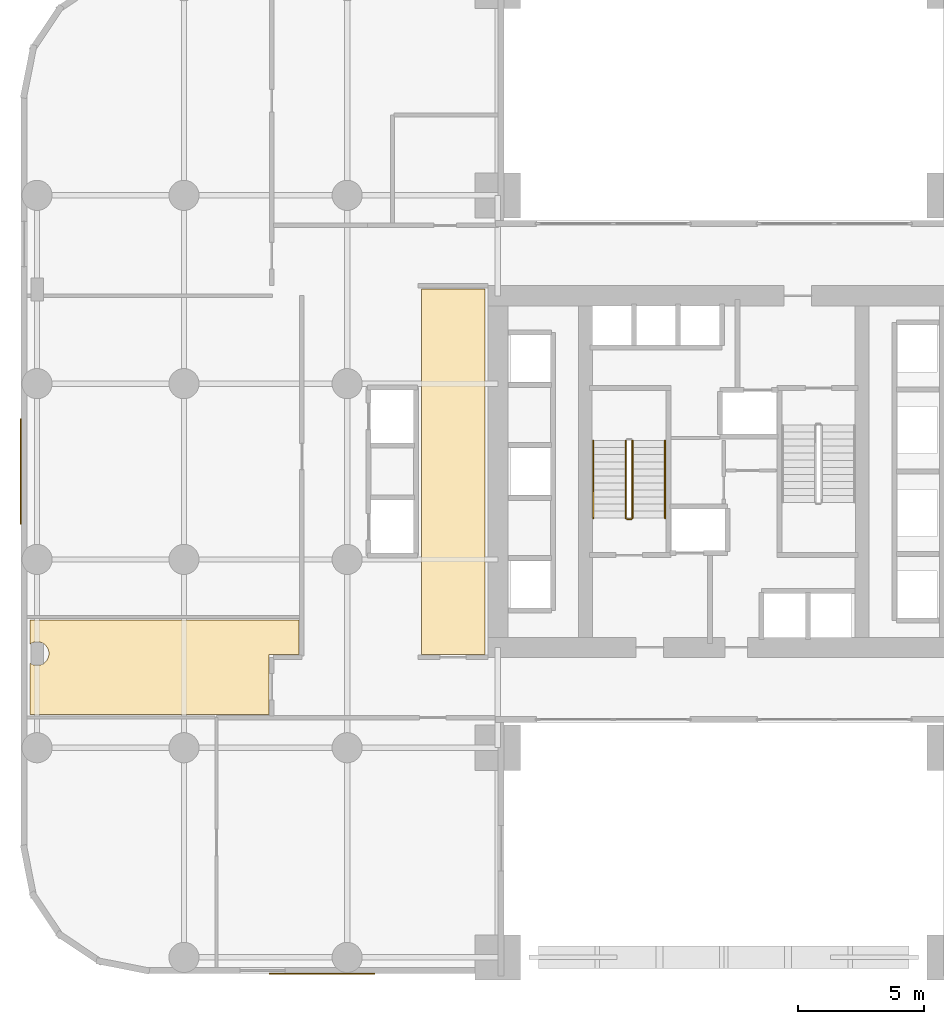
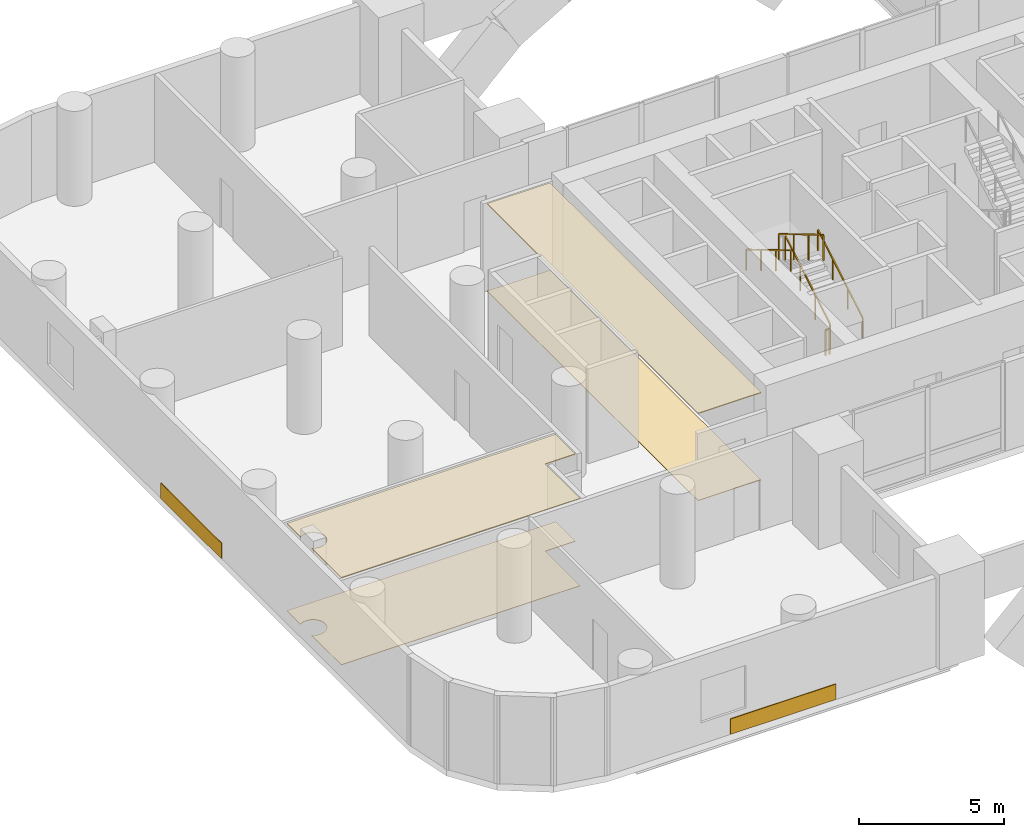
# One storey, part 8 of 9: 6 coverings, 5 railings.
"""IFC4 building model written with IfcOpenShell, lengths in metres."""

from ifc_helpers import new_model, si_unit, direction, frame, origin, origin_2d, place, context, subcontext, project, spatial, polyline, rectangle, outline, extrude, material, layer, layer_set, type_object, element, save


model = new_model("IFC4")

# Units and contexts
model_context = context("Model", 3, precision=1e-05, world=origin(), true_north=direction((0.0, 1.0)))
body_context = subcontext(model_context, "Body", "Model", "MODEL_VIEW")
ifc_project = project(units=[si_unit("LENGTHUNIT", "METRE"), si_unit("AREAUNIT", "SQUARE_METRE"), si_unit("VOLUMEUNIT", "CUBIC_METRE"), si_unit("PLANEANGLEUNIT", "RADIAN"), si_unit("MASSUNIT", "GRAM", prefix="KILO")], contexts=[model_context])

# Site, building, storey
site_placement = place(None, origin())
site = spatial("IfcSite", under=ifc_project, at=site_placement, CompositionType="ELEMENT")
building_placement = place(site_placement, origin())
building = spatial("IfcBuilding", under=site, at=building_placement, Name="Veldorim Arch Residences", CompositionType="ELEMENT")
storey_placement = place(building_placement, frame((0.0, 0.0, 8.0)))
storey = spatial("IfcBuildingStorey", under=building, at=storey_placement, Name="L02", CompositionType="ELEMENT", Elevation=8.0)

# Railings
ifc_material_1 = material(Name="Steel S355", Category="steel")
railing_type_1 = type_object("IfcRailingType", Name="Galvanised Steel Stair Safety Guardrail 1100", PredefinedType="GUARDRAIL", material=ifc_material_1)
railing_1_placement = place(storey_placement, frame((28.360107421875, 22.14990234375, 0.166748046875)))
element("IfcRailing", 1, at=railing_1_placement, inside=storey, type_object=railing_type_1, Name="L02 ST-1 stair guard 1", PredefinedType="GUARDRAIL", context=body_context, shape_type="SweptSolid", body=[
    extrude(rectangle(XDim=0.048095703125, YDim=0.048095703125, at=origin_2d()), frame((0.0, 0.0, 1.076171875), z_axis=(0.0, 0.859308565015, 0.511457515432), x_axis=(-1.0, 0.0, 0.0)), (0.0, 0.0, 1.0), 3.58447265625),
    extrude(rectangle(XDim=0.0419921875, YDim=0.0419921875, at=origin_2d()), origin(), (0.0, 0.0, 1.0), 1.052001953125),
    extrude(rectangle(XDim=0.0419921875, YDim=0.0419921875, at=origin_2d()), frame((0.0, 1.026611328125, 0.611083984375)), (0.0, 0.0, 1.0), 1.052001953125),
    extrude(rectangle(XDim=0.0419921875, YDim=0.0419921875, at=origin_2d()), frame((0.0, 2.053466796875, 1.22216796875)), (0.0, 0.0, 1.0), 1.052001953125),
    extrude(rectangle(XDim=0.0419921875, YDim=0.0419921875, at=origin_2d()), frame((0.0, 3.080078125, 1.833251953125)), (0.0, 0.0, 1.0), 1.052001953125),
])
railing_2_placement = place(storey_placement, frame((28.10009765625, 25.22998046875, 2.166748046875)))
element("IfcRailing", 2, at=railing_2_placement, inside=storey, type_object=railing_type_1, Name="L02 ST-1 stair guard 3", PredefinedType="GUARDRAIL", context=body_context, shape_type="SweptSolid", body=[
    extrude(rectangle(XDim=0.048095703125, YDim=0.048095703125, at=origin_2d()), frame((0.0, 0.0, 1.076171875), z_axis=(0.0, -0.859308565015, 0.511457515432), x_axis=(1.0, 0.0, 0.0)), (0.0, 0.0, 1.0), 3.58447265625),
    extrude(rectangle(XDim=0.0419921875, YDim=0.0419921875, at=origin_2d()), origin(), (0.0, 0.0, 1.0), 1.052001953125),
    extrude(rectangle(XDim=0.0419921875, YDim=0.0419921875, at=origin_2d()), frame((0.0, -1.026611328125, 0.611083984375)), (0.0, 0.0, 1.0), 1.052001953125),
    extrude(rectangle(XDim=0.0419921875, YDim=0.0419921875, at=origin_2d()), frame((0.0, -2.053466796875, 1.22216796875)), (0.0, 0.0, 1.0), 1.052001953125),
    extrude(rectangle(XDim=0.0419921875, YDim=0.0419921875, at=origin_2d()), frame((0.0, -3.080078125, 1.833251953125)), (0.0, 0.0, 1.0), 1.052001953125),
])
railing_3_placement = place(storey_placement, frame((28.31005859375, 22.10009765625, 0.0)))
element("IfcRailing", 3, at=railing_3_placement, inside=storey, type_object=railing_type_1, Name="L02 ST-1 stair guard 4", PredefinedType="GUARDRAIL", context=body_context, shape_type="SweptSolid", body=[
    extrude(rectangle(XDim=0.048095703125, YDim=0.048095703125, at=origin_2d()), frame((0.0, 0.0, 1.076171875), z_axis=(-1.0, 0.0, 0.0), x_axis=(0.0, -1.0, 0.0)), (0.0, 0.0, 1.0), 0.16015625),
    extrude(rectangle(XDim=0.0419921875, YDim=0.0419921875, at=origin_2d()), origin(), (0.0, 0.0, 1.0), 1.052001953125),
    extrude(rectangle(XDim=0.0419921875, YDim=0.0419921875, at=origin_2d()), frame((-0.16015625, 0.0, 0.0)), (0.0, 0.0, 1.0), 1.052001953125),
])

# Coverings
ifc_material_2 = material(Name="Acoustic Gypsum & Mineral Fibre", Category="gypsum")
ifc_layer_1 = layer(ifc_material_2, 0.034912109375, Name="Perforated Acoustic Mineral-Fibre Ceiling 35")
ifc_layer_set_1 = layer_set([ifc_layer_1], Name="Acoustic Gypsum & Mineral Fibre")
covering_type_1 = type_object("IfcCoveringType", Name="Perforated Acoustic Mineral-Fibre Ceiling 35", PredefinedType="CEILING", material=ifc_layer_set_1)
covering_1_placement = place(storey_placement, frame((0.0, 0.0, 3.6650390625)))
element("IfcCovering", 4, at=covering_1_placement, inside=storey, type_object=covering_type_1, Name="L02 acoustic suspended ceiling 01", PredefinedType="CEILING", context=body_context, shape_type="SweptSolid", body=[
    extrude(outline(polyline([(15.080078125, 16.719970703125), (13.8798828125, 16.719970703125), (13.8798828125, 14.320068359375), (4.3701171875, 14.320068359375), (4.3701171875, 16.37109375), (4.41259765625, 16.338623046875), (4.527099609375, 16.291259765625), (4.64990234375, 16.27490234375), (4.77294921875, 16.291259765625), (4.887451171875, 16.338623046875), (4.98583984375, 16.4140625), (5.061279296875, 16.512451171875), (5.10888671875, 16.627197265625), (5.125, 16.75), (5.10888671875, 16.872802734375), (5.061279296875, 16.987548828125), (4.98583984375, 17.0859375), (4.887451171875, 17.161376953125), (4.77294921875, 17.208740234375), (4.64990234375, 17.22509765625), (4.527099609375, 17.208740234375), (4.41259765625, 17.161376953125), (4.3701171875, 17.12890625), (4.3701171875, 18.080078125), (15.080078125, 18.080078125), (15.080078125, 16.719970703125)])), origin(), (0.0, 0.0, 1.0), 0.034912109375),
])
covering_2_placement = place(storey_placement, frame((0.0, 0.0, 3.6650390625)))
element("IfcCovering", 5, at=covering_2_placement, inside=storey, type_object=covering_type_1, Name="L02 acoustic suspended ceiling 02", PredefinedType="CEILING", context=body_context, shape_type="SweptSolid", body=[
    extrude(outline(polyline([(22.47998046875, 31.280029296875), (22.47998046875, 16.719970703125), (19.969970703125, 16.719970703125), (19.969970703125, 31.280029296875), (22.47998046875, 31.280029296875)])), origin(), (0.0, 0.0, 1.0), 0.034912109375),
])
ifc_material_3 = material(Name="Porcelain Ceramic Tile", Category="ceramic")
ifc_layer_2 = layer(ifc_material_3, 0.02001953125, Name="Slip-Resistant Porcelain & Vinyl Floor Finish 20")
ifc_layer_set_2 = layer_set([ifc_layer_2], Name="Porcelain Ceramic Tile")
covering_type_2 = type_object("IfcCoveringType", Name="Slip-Resistant Porcelain & Vinyl Floor Finish 20", PredefinedType="FLOORING", material=ifc_layer_set_2)
covering_3_placement = place(storey_placement, origin())
element("IfcCovering", 6, at=covering_3_placement, inside=storey, type_object=covering_type_2, Name="L02 porcelain floor finish 01", PredefinedType="FLOORING", context=body_context, shape_type="SweptSolid", body=[
    extrude(outline(polyline([(15.080078125, 16.719970703125), (13.8798828125, 16.719970703125), (13.8798828125, 14.320068359375), (4.3701171875, 14.320068359375), (4.3701171875, 16.37109375), (4.41259765625, 16.338623046875), (4.527099609375, 16.291259765625), (4.64990234375, 16.27490234375), (4.77294921875, 16.291259765625), (4.887451171875, 16.338623046875), (4.98583984375, 16.4140625), (5.061279296875, 16.512451171875), (5.10888671875, 16.627197265625), (5.125, 16.75), (5.10888671875, 16.872802734375), (5.061279296875, 16.987548828125), (4.98583984375, 17.0859375), (4.887451171875, 17.161376953125), (4.77294921875, 17.208740234375), (4.64990234375, 17.22509765625), (4.527099609375, 17.208740234375), (4.41259765625, 17.161376953125), (4.3701171875, 17.12890625), (4.3701171875, 18.080078125), (15.080078125, 18.080078125), (15.080078125, 16.719970703125)])), origin(), (0.0, 0.0, 1.0), 0.02001953125),
])
covering_4_placement = place(storey_placement, origin())
element("IfcCovering", 7, at=covering_4_placement, inside=storey, type_object=covering_type_2, Name="L02 porcelain floor finish 02", PredefinedType="FLOORING", context=body_context, shape_type="SweptSolid", body=[
    extrude(outline(polyline([(22.47998046875, 31.280029296875), (22.47998046875, 16.719970703125), (19.969970703125, 16.719970703125), (19.969970703125, 31.280029296875), (22.47998046875, 31.280029296875)])), origin(), (0.0, 0.0, 1.0), 0.02001953125),
])
ifc_material_4 = material(Name="Terracotta Ceramic", Category="masonry")
ifc_layer_3 = layer(ifc_material_4, 0.0400390625, Name="Terracotta Rainscreen Spandrel Cladding Panel")
ifc_layer_set_3 = layer_set([ifc_layer_3], Name="Terracotta Ceramic")
covering_type_3 = type_object("IfcCoveringType", Name="Terracotta Rainscreen Spandrel Cladding Panel", PredefinedType="CLADDING", material=ifc_layer_set_3)
for number, where, z_axis, x_axis, name in (
    (8, (3.989990234375, 24.0, 0.025146484375), (0.0, 0.0, 1.0), (0.0, 1.0, 0.0), "L02 terracotta rainscreen spandrel panel 1"),
    (9, (16.0, 3.989990234375, 0.025146484375), (0.0, 0.0, 1.0), (1.0, 0.0, 0.0), "L02 terracotta rainscreen spandrel panel 3"),
):
    element("IfcCovering", number, at=place(storey_placement, frame(where, z_axis=z_axis, x_axis=x_axis)), inside=storey, type_object=covering_type_3, Name=name, PredefinedType="CLADDING", context=body_context, shape_type="SweptSolid", body=[
        extrude(rectangle(XDim=4.199951171875, YDim=0.0400390625, at=origin_2d()), origin(), (0.0, 0.0, 1.0), 0.64990234375),
    ])

# Railings
ifc_material_5 = material(Name="Stainless Steel", Category="steel")
railing_type_2 = type_object("IfcRailingType", Name="Tubular Steel Continuous Wall Handrail 900", PredefinedType="HANDRAIL", material=ifc_material_5)
railing_4_placement = place(storey_placement, frame((29.659912109375, 22.14990234375, 0.166748046875)))
element("IfcRailing", 10, at=railing_4_placement, inside=storey, type_object=railing_type_2, Name="L02 ST-1 stair handrail 1", PredefinedType="HANDRAIL", context=body_context, shape_type="SweptSolid", body=[
    extrude(rectangle(XDim=0.048095703125, YDim=0.048095703125, at=origin_2d()), frame((0.0, 0.0, 0.8759765625), z_axis=(0.0, 0.859308565015, 0.511457515432), x_axis=(-1.0, 0.0, 0.0)), (0.0, 0.0, 1.0), 3.58447265625),
    extrude(rectangle(XDim=0.0419921875, YDim=0.0419921875, at=origin_2d()), origin(), (0.0, 0.0, 1.0), 0.851806640625),
    extrude(rectangle(XDim=0.0419921875, YDim=0.0419921875, at=origin_2d()), frame((0.0, 1.026611328125, 0.611083984375)), (0.0, 0.0, 1.0), 0.851806640625),
    extrude(rectangle(XDim=0.0419921875, YDim=0.0419921875, at=origin_2d()), frame((0.0, 2.053466796875, 1.22216796875)), (0.0, 0.0, 1.0), 0.851806640625),
    extrude(rectangle(XDim=0.0419921875, YDim=0.0419921875, at=origin_2d()), frame((0.0, 3.080078125, 1.833251953125)), (0.0, 0.0, 1.0), 0.851806640625),
])
railing_5_placement = place(storey_placement, frame((26.800048828125, 25.22998046875, 2.166748046875)))
element("IfcRailing", 11, at=railing_5_placement, inside=storey, type_object=railing_type_2, Name="L02 ST-1 stair handrail 2", PredefinedType="HANDRAIL", context=body_context, shape_type="SweptSolid", body=[
    extrude(rectangle(XDim=0.048095703125, YDim=0.048095703125, at=origin_2d()), frame((0.0, 0.0, 0.8759765625), z_axis=(0.0, -0.859308565015, 0.511457515432), x_axis=(1.0, 0.0, 0.0)), (0.0, 0.0, 1.0), 3.58447265625),
    extrude(rectangle(XDim=0.0419921875, YDim=0.0419921875, at=origin_2d()), origin(), (0.0, 0.0, 1.0), 0.851806640625),
    extrude(rectangle(XDim=0.0419921875, YDim=0.0419921875, at=origin_2d()), frame((0.0, -1.026611328125, 0.611083984375)), (0.0, 0.0, 1.0), 0.851806640625),
    extrude(rectangle(XDim=0.0419921875, YDim=0.0419921875, at=origin_2d()), frame((0.0, -2.053466796875, 1.22216796875)), (0.0, 0.0, 1.0), 0.851806640625),
    extrude(rectangle(XDim=0.0419921875, YDim=0.0419921875, at=origin_2d()), frame((0.0, -3.080078125, 1.833251953125)), (0.0, 0.0, 1.0), 0.851806640625),
])

save(model, "model.ifc")
